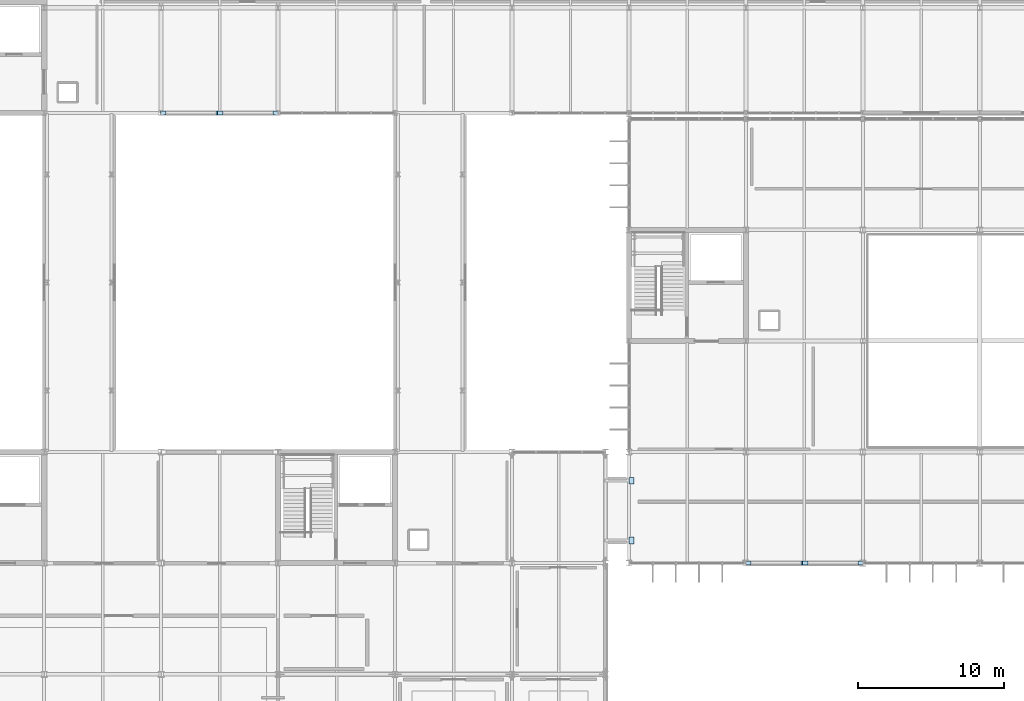
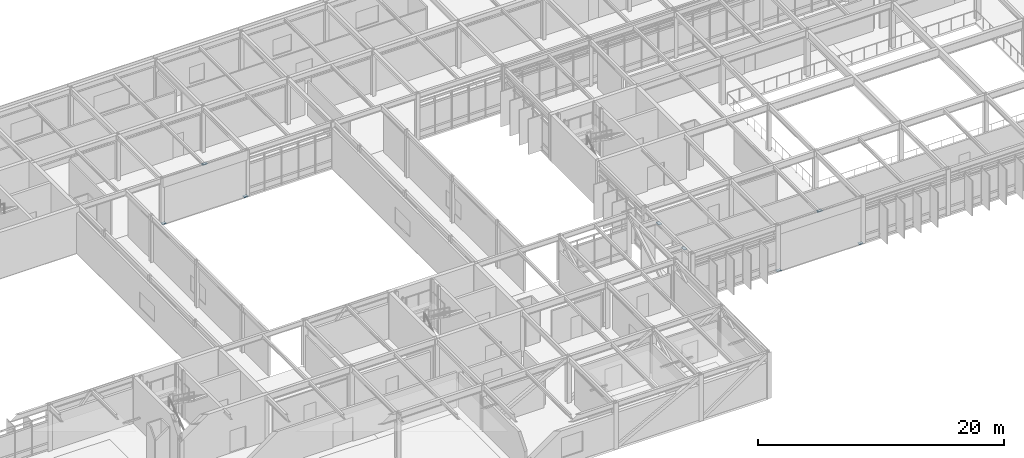
# One storey, part 78 of 104: 10 plates.
"""IFC4 building model written with IfcOpenShell, lengths in metres."""

from ifc_helpers import new_model, si_unit, direction, frame, origin, origin_2d, place, context, subcontext, project, spatial, rectangle, extrude, material, layer, layer_set, type_object, element, save


model = new_model("IFC4")

# Units and contexts
model_context = context("Model", 3, precision=1e-05, world=origin(), true_north=direction((0.0, 1.0)))
body_context = subcontext(model_context, "Body", "Model", "MODEL_VIEW")
ifc_project = project(units=[si_unit("LENGTHUNIT", "METRE"), si_unit("AREAUNIT", "SQUARE_METRE"), si_unit("VOLUMEUNIT", "CUBIC_METRE"), si_unit("PLANEANGLEUNIT", "RADIAN"), si_unit("MASSUNIT", "GRAM", prefix="KILO")], contexts=[model_context])

# Site, building, storey
site_placement = place(None, origin())
site = spatial("IfcSite", under=ifc_project, at=site_placement, CompositionType="ELEMENT")
building_placement = place(site_placement, origin())
building = spatial("IfcBuilding", under=site, at=building_placement, Name="Zulena Civic Courthouse", CompositionType="ELEMENT")
storey_placement = place(building_placement, frame((0.0, 0.0, 15.60009765625)))
storey = spatial("IfcBuildingStorey", under=building, at=storey_placement, Name="L03", CompositionType="ELEMENT", Elevation=15.60009765625)

# Plates
ifc_material = material(Name="Steel ASTM A572 Grade 50", Category="steel")
ifc_layer_1 = layer(ifc_material, 0.028076171875)
ifc_layer_set_1 = layer_set([ifc_layer_1], Name="Steel ASTM A572 Grade 50")
plate_type_1 = type_object("IfcPlateType", Name="BearingPlate_450x320x28", PredefinedType="SHEET", material=ifc_layer_set_1)
for number, where, z_axis, x_axis, name in (
    (1, (68.179931640625, 16.75, 4.02001953125), (0.0, 0.0, 1.0), (1.0, 0.0, 0.0), "plate:ptfe:BR-24:L04:16.75"),
    (2, (68.179931640625, 20.85009765625, 4.02001953125), (0.0, 0.0, 1.0), (1.0, 0.0, 0.0), "plate:ptfe:BR-24:L04:20.85"),
):
    element("IfcPlate", number, at=place(storey_placement, frame(where, z_axis=z_axis, x_axis=x_axis)), inside=storey, type_object=plate_type_1, Name=name, PredefinedType="SHEET", context=body_context, shape_type="SweptSolid", body=[
        extrude(rectangle(XDim=0.320068359375, YDim=0.449951171875, at=origin_2d()), origin(), (0.0, 0.0, 1.0), 0.028076171875),
    ])
ifc_layer_2 = layer(ifc_material, 0.02197265625)
ifc_layer_set_2 = layer_set([ifc_layer_2], Name="Steel ASTM A572 Grade 50")
plate_type_2 = type_object("IfcPlateType", Name="GussetPlate_380x280x22", PredefinedType="SHEET", material=ifc_layer_set_2)
for number, where, z_axis, x_axis, name in (
    (3, (76.14990234375, 15.199951171875, -0.0009765625), (0.0, 0.0, 1.0), (1.0, 0.0, 0.0), "plate:br:V4:L03:4:0:0"),
    (4, (79.949951171875, 15.199951171875, 4.548828125), (0.0, 0.0, 1.0), (1.0, 0.0, 0.0), "plate:br:V4:L03:4:0:1"),
    (5, (83.85009765625, 15.199951171875, -0.0009765625), (0.0, 0.0, 1.0), (1.0, 0.0, 0.0), "plate:br:V4:L03:4:1:0"),
    (6, (80.050048828125, 15.199951171875, 4.548828125), (0.0, 0.0, 1.0), (1.0, 0.0, 0.0), "plate:br:V4:L03:4:1:1"),
    (7, (36.14990234375, 46.0, -0.0009765625), (0.0, 0.0, 1.0), (1.0, 0.0, 0.0), "plate:br:V5:L03:5:0:0"),
    (8, (39.949951171875, 46.0, 4.548828125), (0.0, 0.0, 1.0), (1.0, 0.0, 0.0), "plate:br:V5:L03:5:0:1"),
    (9, (43.85009765625, 46.0, -0.0009765625), (0.0, 0.0, 1.0), (1.0, 0.0, 0.0), "plate:br:V5:L03:5:1:0"),
    (10, (40.050048828125, 46.0, 4.548828125), (0.0, 0.0, 1.0), (1.0, 0.0, 0.0), "plate:br:V5:L03:5:1:1"),
):
    element("IfcPlate", number, at=place(storey_placement, frame(where, z_axis=z_axis, x_axis=x_axis)), inside=storey, type_object=plate_type_2, Name=name, PredefinedType="SHEET", context=body_context, shape_type="SweptSolid", body=[
        extrude(rectangle(XDim=0.3798828125, YDim=0.280029296875, at=origin_2d()), origin(), (0.0, 0.0, 1.0), 0.02197265625),
    ])

save(model, "model.ifc")
